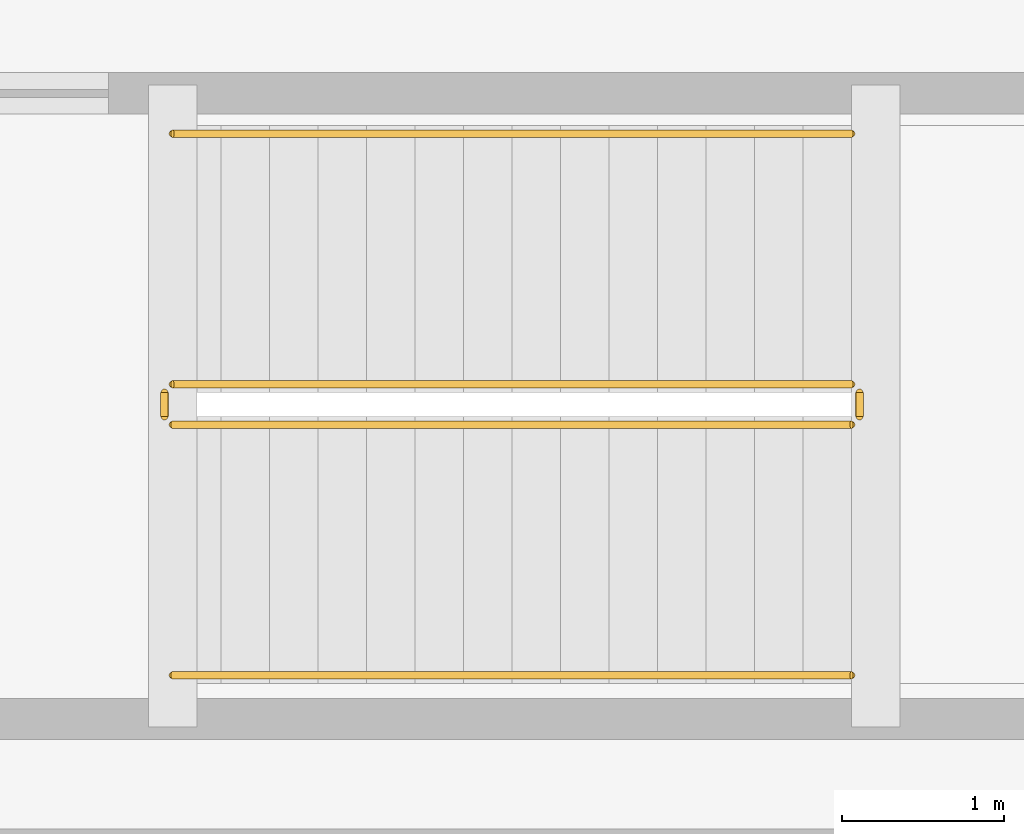
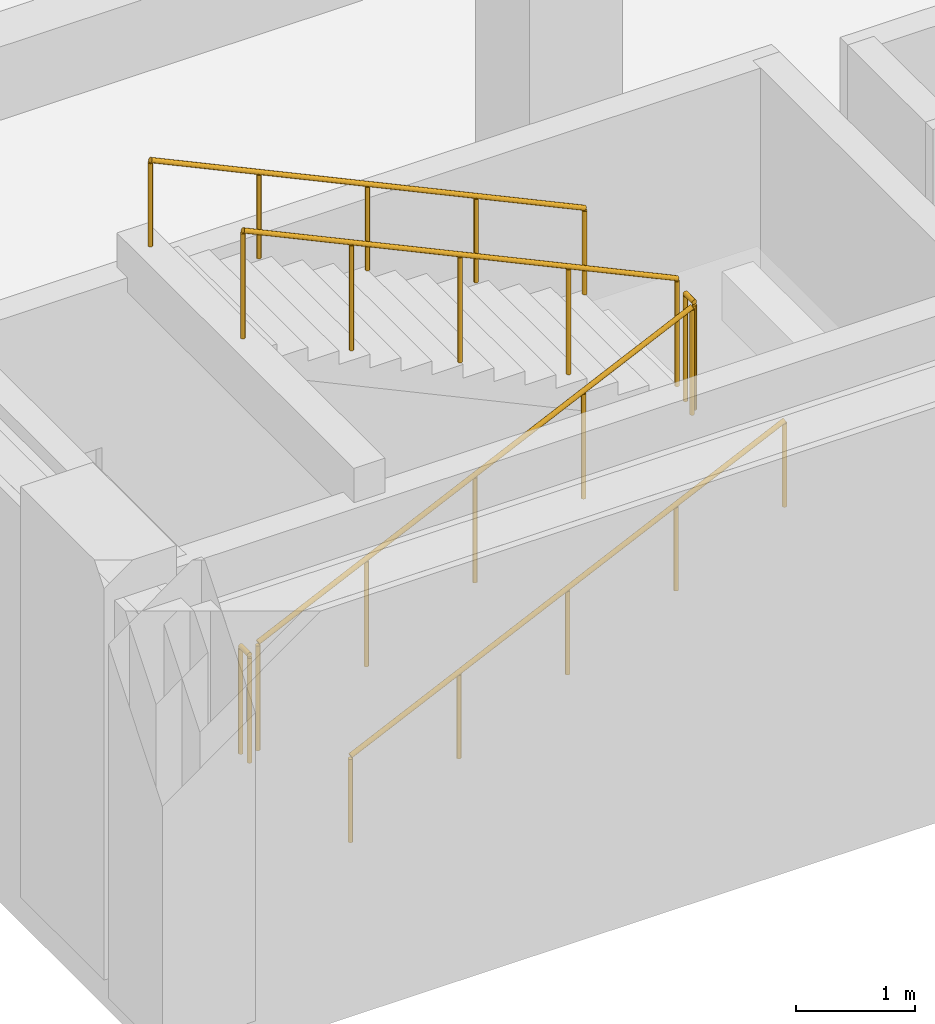
# One storey, part 51 of 63: 6 railings.
"""IFC4 building model written with IfcOpenShell, lengths in metres."""

from ifc_helpers import new_model, si_unit, direction, frame, origin, origin_2d, place, context, subcontext, project, spatial, circle, extrude, material, type_object, element, save


model = new_model("IFC4")

# Units and contexts
model_context = context("Model", 3, precision=1e-05, world=origin(), true_north=direction((0.0, 1.0)))
body_context = subcontext(model_context, "Body", "Model", "MODEL_VIEW")
ifc_project = project(units=[si_unit("LENGTHUNIT", "METRE"), si_unit("AREAUNIT", "SQUARE_METRE"), si_unit("VOLUMEUNIT", "CUBIC_METRE"), si_unit("PLANEANGLEUNIT", "RADIAN"), si_unit("MASSUNIT", "GRAM", prefix="KILO")], contexts=[model_context])

# Site, building, storey
site_placement = place(None, origin())
site = spatial("IfcSite", under=ifc_project, at=site_placement, CompositionType="ELEMENT")
building_placement = place(site_placement, origin())
building = spatial("IfcBuilding", under=site, at=building_placement, Name="Cumbredor Promenade Congress Hotel", CompositionType="ELEMENT")
storey_placement = place(building_placement, frame((0.0, 0.0, -4.199951171875)))
storey = spatial("IfcBuildingStorey", under=building, at=storey_placement, Name="B01", CompositionType="ELEMENT", Elevation=-4.199951171875)

# Railings
ifc_material = material(Name="Brushed stainless steel", Category="steel")
railing_type_1 = type_object("IfcRailingType", Name="Interior Void & Stair Guardrail GR-1100", PredefinedType="GUARDRAIL", material=ifc_material)
railing_1_placement = place(storey_placement, frame((10.75, 11.199951171875, 0.139892578125)))
element("IfcRailing", 1, at=railing_1_placement, inside=storey, type_object=railing_type_1, Name="B01 ST-04 stair guard 1", PredefinedType="GUARDRAIL", context=body_context, shape_type="SweptSolid", body=[
    extrude(circle(Radius=0.02392578125, at=origin_2d()), frame((0.0, 0.0, 1.09619140625), z_axis=(0.906184485727, 0.0, 0.422882581609), x_axis=(0.0, 1.0, 0.0)), (0.0, 0.0, 1.0), 4.634765625),
    extrude(circle(Radius=0.02099609375, at=origin_2d()), origin(), (0.0, 0.0, 1.0), 1.072021484375),
    extrude(circle(Radius=0.02099609375, at=origin_2d()), frame((1.050048828125, 0.0, 0.489990234375)), (0.0, 0.0, 1.0), 1.072021484375),
    extrude(circle(Radius=0.02099609375, at=origin_2d()), frame((2.10009765625, 0.0, 0.97998046875)), (0.0, 0.0, 1.0), 1.072021484375),
    extrude(circle(Radius=0.02099609375, at=origin_2d()), frame((3.14990234375, 0.0, 1.469970703125)), (0.0, 0.0, 1.0), 1.072021484375),
    extrude(circle(Radius=0.02099609375, at=origin_2d()), frame((4.199951171875, 0.0, 1.9599609375)), (0.0, 0.0, 1.0), 1.072021484375),
])
railing_2_placement = place(storey_placement, frame((15.0, 11.25, 2.099853515625)))
element("IfcRailing", 2, at=railing_2_placement, inside=storey, type_object=railing_type_1, Name="B01 ST-04 stair guard 2", PredefinedType="GUARDRAIL", context=body_context, shape_type="SweptSolid", body=[
    extrude(circle(Radius=0.02392578125, at=origin_2d()), frame((0.0, 0.0, 1.09619140625), z_axis=(0.0, 1.0, 0.0), x_axis=(-1.0, 0.0, 0.0)), (0.0, 0.0, 1.0), 0.14990234375),
    extrude(circle(Radius=0.02099609375, at=origin_2d()), origin(), (0.0, 0.0, 1.0), 1.072021484375),
    extrude(circle(Radius=0.02099609375, at=origin_2d()), frame((0.0, 0.14990234375, 0.0)), (0.0, 0.0, 1.0), 1.072021484375),
])
railing_3_placement = place(storey_placement, frame((14.949951171875, 11.449951171875, 2.239990234375)))
element("IfcRailing", 3, at=railing_3_placement, inside=storey, type_object=railing_type_1, Name="B01 ST-04 stair guard 3", PredefinedType="GUARDRAIL", context=body_context, shape_type="SweptSolid", body=[
    extrude(circle(Radius=0.02392578125, at=origin_2d()), frame((0.0, 0.0, 1.09619140625), z_axis=(-0.906184485727, 0.0, 0.422882581609), x_axis=(0.0, -1.0, 0.0)), (0.0, 0.0, 1.0), 4.634765625),
    extrude(circle(Radius=0.02099609375, at=origin_2d()), origin(), (0.0, 0.0, 1.0), 1.072021484375),
    extrude(circle(Radius=0.02099609375, at=origin_2d()), frame((-1.050048828125, 0.0, 0.489990234375)), (0.0, 0.0, 1.0), 1.072021484375),
    extrude(circle(Radius=0.02099609375, at=origin_2d()), frame((-2.10009765625, 0.0, 0.97998046875)), (0.0, 0.0, 1.0), 1.072021484375),
    extrude(circle(Radius=0.02099609375, at=origin_2d()), frame((-3.14990234375, 0.0, 1.469970703125)), (0.0, 0.0, 1.0), 1.072021484375),
    extrude(circle(Radius=0.02099609375, at=origin_2d()), frame((-4.199951171875, 0.0, 1.9599609375)), (0.0, 0.0, 1.0), 1.072021484375),
])
railing_4_placement = place(storey_placement, frame((10.699951171875, 11.25, 0.0)))
element("IfcRailing", 4, at=railing_4_placement, inside=storey, type_object=railing_type_1, Name="B01 ST-04 stair guard 4", PredefinedType="GUARDRAIL", context=body_context, shape_type="SweptSolid", body=[
    extrude(circle(Radius=0.02392578125, at=origin_2d()), frame((0.0, 0.0, 1.09619140625), z_axis=(0.0, 1.0, 0.0), x_axis=(-1.0, 0.0, 0.0)), (0.0, 0.0, 1.0), 0.14990234375),
    extrude(circle(Radius=0.02099609375, at=origin_2d()), origin(), (0.0, 0.0, 1.0), 1.072021484375),
    extrude(circle(Radius=0.02099609375, at=origin_2d()), frame((0.0, 0.14990234375, 0.0)), (0.0, 0.0, 1.0), 1.072021484375),
])
railing_type_2 = type_object("IfcRailingType", Name="Stair Pitch Handrail HR-900", PredefinedType="HANDRAIL", material=ifc_material)
railing_5_placement = place(storey_placement, frame((10.75, 9.64990234375, 0.139892578125)))
element("IfcRailing", 5, at=railing_5_placement, inside=storey, type_object=railing_type_2, Name="B01 ST-04 stair handrail 1", PredefinedType="HANDRAIL", context=body_context, shape_type="SweptSolid", body=[
    extrude(circle(Radius=0.02392578125, at=origin_2d()), frame((0.0, 0.0, 0.8759765625), z_axis=(0.906184485727, 0.0, 0.422882581609), x_axis=(0.0, 1.0, 0.0)), (0.0, 0.0, 1.0), 4.634765625),
    extrude(circle(Radius=0.02099609375, at=origin_2d()), origin(), (0.0, 0.0, 1.0), 0.851806640625),
    extrude(circle(Radius=0.02099609375, at=origin_2d()), frame((1.050048828125, 0.0, 0.489990234375)), (0.0, 0.0, 1.0), 0.851806640625),
    extrude(circle(Radius=0.02099609375, at=origin_2d()), frame((2.10009765625, 0.0, 0.97998046875)), (0.0, 0.0, 1.0), 0.851806640625),
    extrude(circle(Radius=0.02099609375, at=origin_2d()), frame((3.14990234375, 0.0, 1.469970703125)), (0.0, 0.0, 1.0), 0.851806640625),
    extrude(circle(Radius=0.02099609375, at=origin_2d()), frame((4.199951171875, 0.0, 1.9599609375)), (0.0, 0.0, 1.0), 0.851806640625),
])
railing_6_placement = place(storey_placement, frame((14.949951171875, 13.0, 2.239990234375)))
element("IfcRailing", 6, at=railing_6_placement, inside=storey, type_object=railing_type_2, Name="B01 ST-04 stair handrail 2", PredefinedType="HANDRAIL", context=body_context, shape_type="SweptSolid", body=[
    extrude(circle(Radius=0.02392578125, at=origin_2d()), frame((0.0, 0.0, 0.8759765625), z_axis=(-0.906184485727, 0.0, 0.422882581609), x_axis=(0.0, -1.0, 0.0)), (0.0, 0.0, 1.0), 4.634765625),
    extrude(circle(Radius=0.02099609375, at=origin_2d()), origin(), (0.0, 0.0, 1.0), 0.851806640625),
    extrude(circle(Radius=0.02099609375, at=origin_2d()), frame((-1.050048828125, 0.0, 0.489990234375)), (0.0, 0.0, 1.0), 0.851806640625),
    extrude(circle(Radius=0.02099609375, at=origin_2d()), frame((-2.10009765625, 0.0, 0.97998046875)), (0.0, 0.0, 1.0), 0.851806640625),
    extrude(circle(Radius=0.02099609375, at=origin_2d()), frame((-3.14990234375, 0.0, 1.469970703125)), (0.0, 0.0, 1.0), 0.851806640625),
    extrude(circle(Radius=0.02099609375, at=origin_2d()), frame((-4.199951171875, 0.0, 1.9599609375)), (0.0, 0.0, 1.0), 0.851806640625),
])

save(model, "model.ifc")
